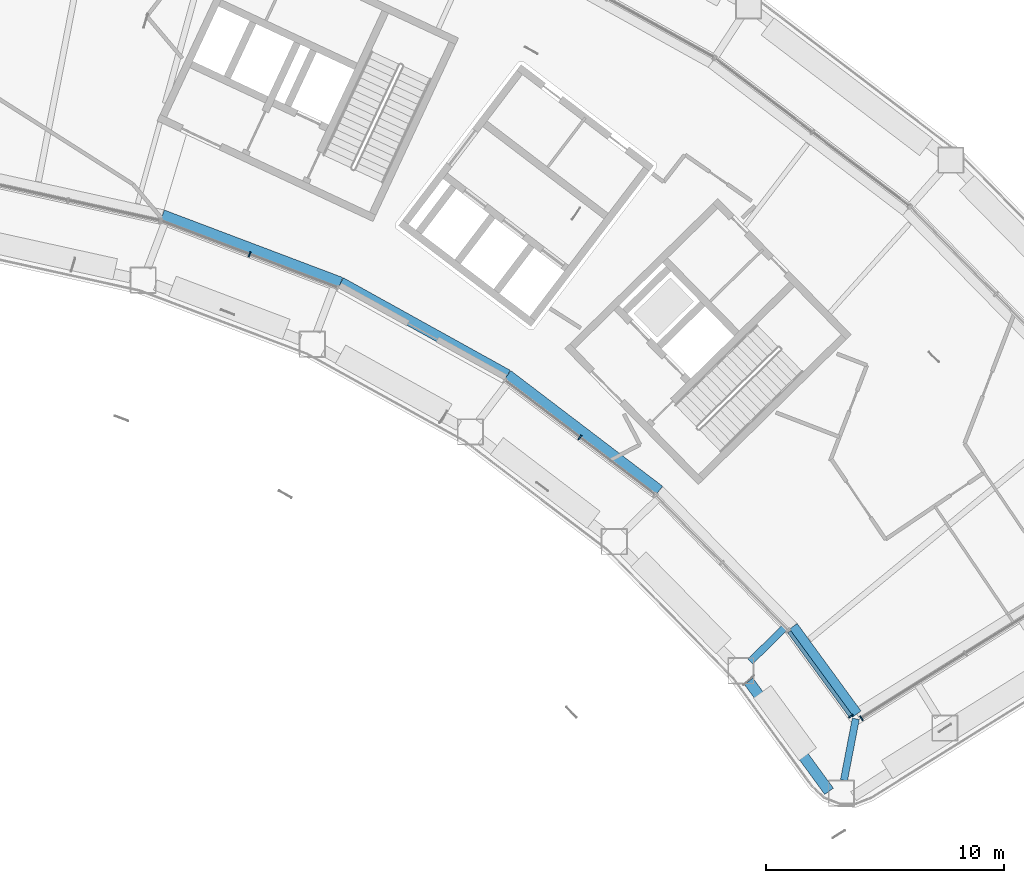
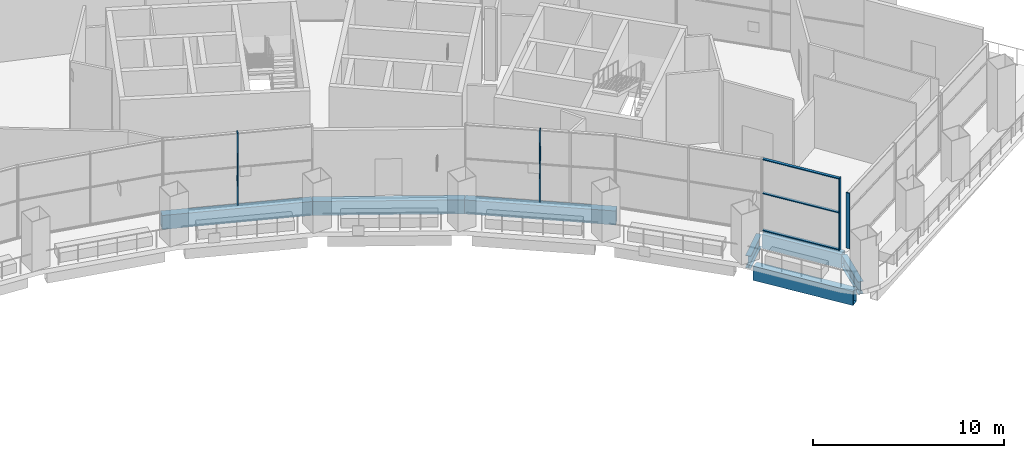
# One storey, part 8 of 28: 7 beams, 7 members, 4 elements without a shape of their own.
"""IFC4 building model written with IfcOpenShell, lengths in metres."""

from ifc_helpers import new_model, si_unit, direction, frame, origin, origin_2d, place, context, subcontext, project, spatial, rectangle, hollow_rectangle, i_section, extrude, material, layer, layer_set, material_profile, profile_set, type_object, element, aggregate, save


model = new_model("IFC4")

# Units and contexts
model_context = context("Model", 3, precision=1e-05, world=origin(), true_north=direction((0.0, 1.0)))
body_context = subcontext(model_context, "Body", "Model", "MODEL_VIEW")
ifc_project = project(units=[si_unit("LENGTHUNIT", "METRE"), si_unit("AREAUNIT", "SQUARE_METRE"), si_unit("VOLUMEUNIT", "CUBIC_METRE"), si_unit("PLANEANGLEUNIT", "RADIAN"), si_unit("MASSUNIT", "GRAM", prefix="KILO")], contexts=[model_context])

# Site, building, storey
site_placement = place(None, origin())
site = spatial("IfcSite", under=ifc_project, at=site_placement, CompositionType="ELEMENT")
building_placement = place(site_placement, origin())
building = spatial("IfcBuilding", under=site, at=building_placement, Name="Tuul Gate Civic Tower", CompositionType="ELEMENT")
storey_placement = place(building_placement, frame((0.0, 0.0, 128.699951171875)))
storey = spatial("IfcBuildingStorey", under=building, at=storey_placement, Name="Sky garden level 1", CompositionType="ELEMENT", Elevation=128.699951171875)

# Curtain wall, member
ifc_material_1 = material(Name="Aluminium", Category="aluminium")
ifc_layer_1 = layer(ifc_material_1, 0.199951171875)
ifc_layer_set_1 = layer_set([ifc_layer_1], Name="Aluminium")
curtain_wall_type_1 = type_object("IfcCurtainWallType", Name="Curtain wall CW3", PredefinedType="NOTDEFINED", material=ifc_layer_set_1)
curtain_wall_1_placement = place(storey_placement, origin())
curtain_wall_1 = element("IfcCurtainWall", 1, at=curtain_wall_1_placement, inside=storey, type_object=curtain_wall_type_1, Name="Curtain wall CW3", PredefinedType="NOTDEFINED")
ifc_material_2 = material(Name="Aluminium", Category="aluminium")
ifc_material_profile_1 = material_profile(ifc_material_2, rectangle(XDim=0.219970703125, YDim=0.06005859375, at=origin_2d()), Name="CW3 mullion")
ifc_profile_set_1 = profile_set([ifc_material_profile_1], Name="Aluminium")
member_type_1 = type_object("IfcMemberType", Name="CW3 mullion", PredefinedType="MULLION", material=ifc_profile_set_1)
member_1_placement = place(storey_placement, frame((29.284423828125, -8.762451171875, 0.0), z_axis=(0.0, 0.0, 1.0), x_axis=(0.353776380754, 0.935330033956, 0.0)))
member_1 = element("IfcMember", 2, at=member_1_placement, type_object=member_type_1, Name="Mullion", PredefinedType="MULLION", context=body_context, shape_type="SweptSolid", body=[
    extrude(rectangle(XDim=0.219970703125, YDim=0.06005859375, at=origin_2d()), origin(), (0.0, 0.0, 1.0), 4.60009765625),
])
aggregate(curtain_wall_1, [member_1])

curtain_wall_2_placement = place(storey_placement, origin())
curtain_wall_2 = element("IfcCurtainWall", 3, at=curtain_wall_2_placement, inside=storey, type_object=curtain_wall_type_1, Name="Curtain wall CW3", PredefinedType="NOTDEFINED")
member_2_placement = place(storey_placement, frame((43.150390625, -16.448486328125, 0.0), z_axis=(0.0, 0.0, 1.0), x_axis=(0.605827650389, 0.79559591378, 0.0)))
member_2 = element("IfcMember", 4, at=member_2_placement, type_object=member_type_1, Name="Mullion", PredefinedType="MULLION", context=body_context, shape_type="SweptSolid", body=[
    extrude(rectangle(XDim=0.219970703125, YDim=0.06005859375, at=origin_2d()), origin(), (0.0, 0.0, 1.0), 4.60009765625),
])
aggregate(curtain_wall_2, [member_2])

# Curtain wall, members
curtain_wall_3_placement = place(storey_placement, origin())
curtain_wall_3 = element("IfcCurtainWall", 5, at=curtain_wall_3_placement, inside=storey, type_object=curtain_wall_type_1, Name="Curtain wall CW3", PredefinedType="NOTDEFINED")
member_3_placement = place(storey_placement, frame((54.523193359375, -28.146728515625, 0.0), z_axis=(0.0, 0.0, 1.0), x_axis=(0.807566892229, 0.589775986774, 0.0)))
member_3 = element("IfcMember", 6, at=member_3_placement, type_object=member_type_1, Name="Mullion", PredefinedType="MULLION", context=body_context, shape_type="SweptSolid", body=[
    extrude(rectangle(XDim=0.219970703125, YDim=0.06005859375, at=origin_2d()), origin(), (0.0, 0.0, 1.0), 4.60009765625),
])
ifc_material_3 = material(Name="Aluminium", Category="aluminium")
ifc_material_profile_2 = material_profile(ifc_material_3, rectangle(XDim=0.159912109375, YDim=0.06005859375, at=origin_2d()), Name="CW3 transom")
ifc_profile_set_2 = profile_set([ifc_material_profile_2], Name="Aluminium")
member_type_2 = type_object("IfcMemberType", Name="CW3 transom", PredefinedType="USERDEFINED", material=ifc_profile_set_2)
member_4_placement = place(storey_placement, frame((51.933349609375, -24.600341796875, 0.030029296875), z_axis=(0.589768148936, -0.80757261624, 0.0), x_axis=(0.80757261624, 0.589768148936, 0.0)))
member_4 = element("IfcMember", 7, at=member_4_placement, type_object=member_type_2, Name="Transom", ObjectType="TRANSOM", PredefinedType="USERDEFINED", context=body_context, shape_type="SweptSolid", body=[
    extrude(rectangle(XDim=0.159912109375, YDim=0.06005859375, at=origin_2d()), origin(), (0.0, 0.0, 1.0), 4.361572265625),
])
member_5_placement = place(storey_placement, frame((51.933349609375, -24.600341796875, 2.400146484375), z_axis=(0.589768148936, -0.80757261624, 0.0), x_axis=(0.80757261624, 0.589768148936, 0.0)))
member_5 = element("IfcMember", 8, at=member_5_placement, type_object=member_type_2, Name="Transom", ObjectType="TRANSOM", PredefinedType="USERDEFINED", context=body_context, shape_type="SweptSolid", body=[
    extrude(rectangle(XDim=0.159912109375, YDim=0.06005859375, at=origin_2d()), origin(), (0.0, 0.0, 1.0), 4.361572265625),
])
member_6_placement = place(storey_placement, frame((51.933349609375, -24.600341796875, 4.570068359375), z_axis=(0.589768148936, -0.80757261624, 0.0), x_axis=(0.80757261624, 0.589768148936, 0.0)))
member_6 = element("IfcMember", 9, at=member_6_placement, type_object=member_type_2, Name="Transom", ObjectType="TRANSOM", PredefinedType="USERDEFINED", context=body_context, shape_type="SweptSolid", body=[
    extrude(rectangle(XDim=0.159912109375, YDim=0.06005859375, at=origin_2d()), origin(), (0.0, 0.0, 1.0), 4.361572265625),
])
aggregate(curtain_wall_3, [member_3, member_4, member_5, member_6])

# Curtain wall, member
ifc_material_4 = material(Name="Aluminium", Category="aluminium")
ifc_layer_2 = layer(ifc_material_4, 0.199951171875)
ifc_layer_set_2 = layer_set([ifc_layer_2], Name="Aluminium")
curtain_wall_type_2 = type_object("IfcCurtainWallType", Name="Curtain wall CW3A", PredefinedType="NOTDEFINED", material=ifc_layer_set_2)
curtain_wall_4_placement = place(storey_placement, origin())
curtain_wall_4 = element("IfcCurtainWall", 10, at=curtain_wall_4_placement, inside=storey, type_object=curtain_wall_type_2, Name="Curtain wall CW3A", PredefinedType="NOTDEFINED")
ifc_material_5 = material(Name="Aluminium", Category="aluminium")
ifc_material_profile_3 = material_profile(ifc_material_5, rectangle(XDim=0.219970703125, YDim=0.06005859375, at=origin_2d()), Name="CW3A mullion")
ifc_profile_set_3 = profile_set([ifc_material_profile_3], Name="Aluminium")
member_type_3 = type_object("IfcMemberType", Name="CW3A mullion", PredefinedType="MULLION", material=ifc_profile_set_3)
member_7_placement = place(storey_placement, frame((54.968505859375, -28.233154296875, 0.0), z_axis=(0.0, 0.0, 1.0), x_axis=(-0.52995845166, 0.848023607876, 0.0)))
member_7 = element("IfcMember", 11, at=member_7_placement, type_object=member_type_3, Name="Mullion", PredefinedType="MULLION", context=body_context, shape_type="SweptSolid", body=[
    extrude(rectangle(XDim=0.219970703125, YDim=0.06005859375, at=origin_2d()), origin(), (0.0, 0.0, 1.0), 3.545166015625),
])
aggregate(curtain_wall_4, [member_7])

# Beams
ifc_material_6 = material(Name="Steel S355", Category="steel")
ifc_material_profile_4 = material_profile(ifc_material_6, i_section(OverallWidth=0.300048828125, OverallDepth=0.800048828125, WebThickness=0.013916015625, FlangeThickness=0.02490234375, at=origin_2d()), Name="PG800x300x14x25")
ifc_profile_set_4 = profile_set([ifc_material_profile_4], Name="Steel S355")
beam_type_1 = type_object("IfcBeamType", Name="STR-FLOOR BEAM-PG800x300x14x25", PredefinedType="BEAM", material=ifc_profile_set_4)
beam_1_placement = place(storey_placement, frame((50.302734375, -25.85302734375, -0.699951171875), z_axis=(0.714105887894, 0.70003769961, 0.0), x_axis=(-0.70003769961, 0.714105887894, 0.0)))
element("IfcBeam", 12, at=beam_1_placement, inside=storey, type_object=beam_type_1, Name="Terrace beam", PredefinedType="BEAM", context=body_context, shape_type="SweptSolid", body=[
    extrude(i_section(OverallWidth=0.300048828125, OverallDepth=0.800048828125, WebThickness=0.013916015625, FlangeThickness=0.02490234375, at=origin_2d()), origin(), (0.0, 0.0, 1.0), 2.099853515625),
])
beam_2_placement = place(storey_placement, frame((54.234375, -30.840087890625, -0.699951171875), z_axis=(0.189487835003, 0.981883068591, 0.0), x_axis=(-0.981883068591, 0.189487835003, 0.0)))
element("IfcBeam", 13, at=beam_2_placement, inside=storey, type_object=beam_type_1, Name="Terrace beam", PredefinedType="BEAM", context=body_context, shape_type="SweptSolid", body=[
    extrude(i_section(OverallWidth=0.300048828125, OverallDepth=0.800048828125, WebThickness=0.013916015625, FlangeThickness=0.02490234375, at=origin_2d()), origin(), (0.0, 0.0, 1.0), 2.629638671875),
])
ifc_material_7 = material(Name="Steel S355", Category="steel")
ifc_material_profile_5 = material_profile(ifc_material_7, hollow_rectangle(XDim=0.449951171875, YDim=0.89990234375, WallThickness=0.02490234375, at=origin_2d()), Name="BOX900x450x25")
ifc_profile_set_5 = profile_set([ifc_material_profile_5], Name="Steel S355")
beam_type_2 = type_object("IfcBeamType", Name="STR-SPANDREL BEAM-BOX900x450x25", PredefinedType="BEAM", material=ifc_profile_set_5)
beam_3_placement = place(storey_placement, frame((54.770751953125, -28.0615234375, -0.75), z_axis=(-0.589776867535, 0.807566248998, 0.0), x_axis=(-0.807566248998, -0.589776867535, 0.0)))
element("IfcBeam", 14, at=beam_3_placement, inside=storey, type_object=beam_type_2, Name="Spandrel beam", PredefinedType="BEAM", context=body_context, shape_type="SweptSolid", body=[
    extrude(hollow_rectangle(XDim=0.449951171875, YDim=0.89990234375, WallThickness=0.02490234375, at=origin_2d()), origin(), (0.0, 0.0, 1.0), 4.545654296875),
])
beam_4_placement = place(storey_placement, frame((46.486328125, -18.67431640625, -0.75), z_axis=(-0.795645903979, 0.605761995739, 0.0), x_axis=(-0.605761995739, -0.795645903979, 0.0)))
element("IfcBeam", 15, at=beam_4_placement, inside=storey, type_object=beam_type_2, Name="Spandrel beam", PredefinedType="BEAM", context=body_context, shape_type="SweptSolid", body=[
    extrude(hollow_rectangle(XDim=0.449951171875, YDim=0.89990234375, WallThickness=0.02490234375, at=origin_2d()), origin(), (0.0, 0.0, 1.0), 8.0048828125),
])
beam_5_placement = place(storey_placement, frame((40.1171875, -13.8251953125, -0.75), z_axis=(-0.874584238794, 0.484873601315, 0.0), x_axis=(-0.484873601315, -0.874584238794, 0.0)))
element("IfcBeam", 16, at=beam_5_placement, inside=storey, type_object=beam_type_2, Name="Spandrel beam", PredefinedType="BEAM", context=body_context, shape_type="SweptSolid", body=[
    extrude(hollow_rectangle(XDim=0.449951171875, YDim=0.89990234375, WallThickness=0.02490234375, at=origin_2d()), origin(), (0.0, 0.0, 1.0), 8.00439453125),
])
beam_6_placement = place(storey_placement, frame((33.11669921875, -9.944091796875, -0.75), z_axis=(-0.935347904159, 0.353729131095, 0.0), x_axis=(-0.353729131095, -0.935347904159, 0.0)))
element("IfcBeam", 17, at=beam_6_placement, inside=storey, type_object=beam_type_2, Name="Spandrel beam", PredefinedType="BEAM", context=body_context, shape_type="SweptSolid", body=[
    extrude(hollow_rectangle(XDim=0.449951171875, YDim=0.89990234375, WallThickness=0.02490234375, at=origin_2d()), origin(), (0.0, 0.0, 1.0), 8.0048828125),
])
beam_7_placement = place(storey_placement, frame((50.234375, -26.68212890625, -0.75), z_axis=(0.589882858518, -0.807488831642, 0.0), x_axis=(0.807488831642, 0.589882858518, 0.0)))
element("IfcBeam", 18, at=beam_7_placement, inside=storey, type_object=beam_type_2, Name="Terrace edge beam", PredefinedType="BEAM", context=body_context, shape_type="SweptSolid", body=[
    extrude(hollow_rectangle(XDim=0.449951171875, YDim=0.89990234375, WallThickness=0.02490234375, at=origin_2d()), origin(), (0.0, 0.0, 1.0), 5.721923828125),
])

save(model, "model.ifc")
